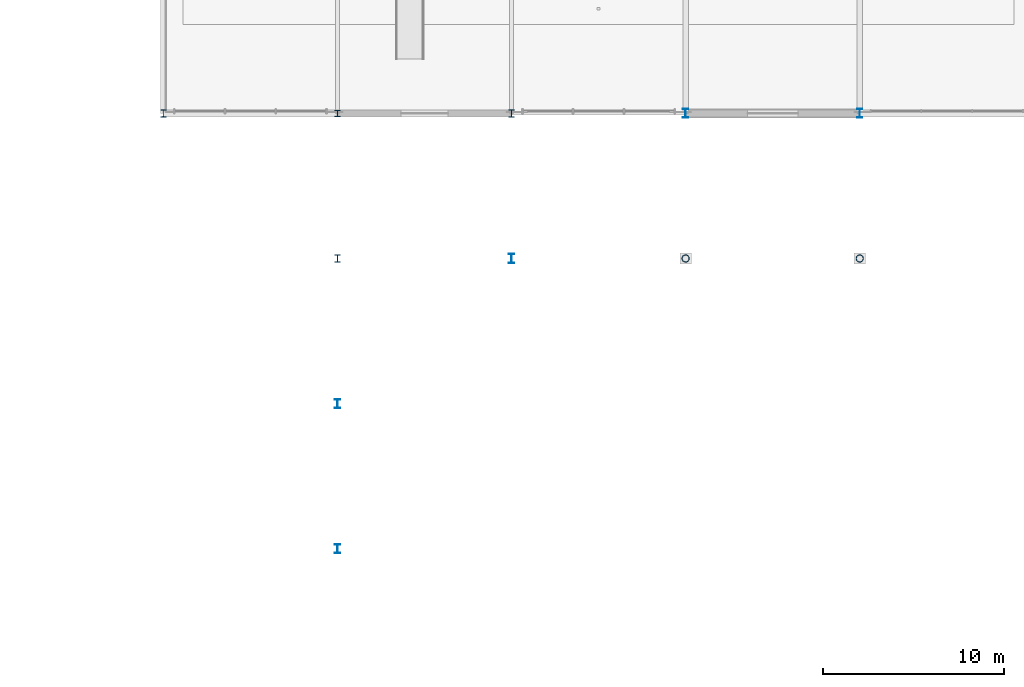
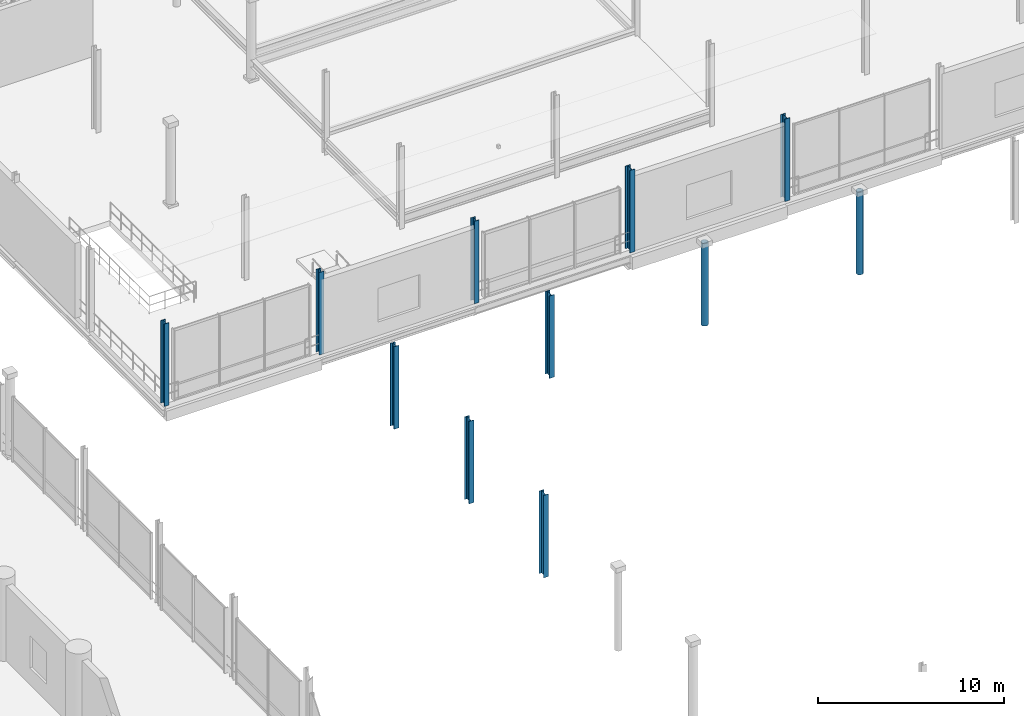
# One storey, part 17 of 129: 11 columns.
"""IFC4 building model written with IfcOpenShell, lengths in metres."""

import ifcopenshell
import ifcopenshell.guid

model = None  # the IFC model being written
_history = None  # IfcOwnerHistory: only IFC2X3 demands one
_inside = {}  # id of a spatial element -> (the spatial element, [elements in it])
_under = {}  # id of a project, library or spatial element -> (it, [spatial elements below it])
_declared = {}  # id of a project -> (the project, [libraries it declares])
_typed = {}  # id of a type object -> (the type object, [elements of that type])
_made_of = {}  # id of a material, layer set ... -> (it, [elements and type objects made of it])


def new_model(schema):
    """Start an empty IFC model of exactly this schema.

    Asked for "IFC4X3", IfcOpenShell would pick the latest addendum, in which some entities
    have other attributes; the version numbers below select the first issue.
    IFC2X3 requires an IfcOwnerHistory on every rooted entity: one is made here for all.
    """
    global model, _history
    if schema == "IFC4X3":
        model = ifcopenshell.file(schema_version=(4, 3, 0, 0))
    else:
        model = ifcopenshell.file(schema=schema)
    _inside.clear()
    _under.clear()
    _declared.clear()
    _typed.clear()
    _made_of.clear()
    _history = None
    if model.schema == "IFC2X3":
        org = make("IfcOrganization", Name="unknown")
        user = make(
            "IfcPersonAndOrganization",
            ThePerson=make("IfcPerson", FamilyName="unknown"),
            TheOrganization=org,
        )
        app = make(
            "IfcApplication",
            ApplicationDeveloper=org,
            Version="unknown",
            ApplicationFullName="unknown",
            ApplicationIdentifier="unknown",
        )
        _history = make(
            "IfcOwnerHistory",
            OwningUser=user,
            OwningApplication=app,
            ChangeAction="ADDED",
            CreationDate=0,
        )
    return model


def make(cls, **values):
    """One entity of the class cls with the attributes given. An attribute that is None is left unset."""
    return model.create_entity(
        cls, **{name: value for name, value in values.items() if value is not None}
    )


def rooted(cls, **values):
    """An entity with a GlobalId (a new one), such as an element, a storey or a relation."""
    return make(cls, GlobalId=ifcopenshell.guid.new(), OwnerHistory=_history, **values)


def si_unit(unit_type, name, prefix=None):
    """IfcSIUnit, for example si_unit("LENGTHUNIT", "METRE", prefix="MILLI")."""
    return make("IfcSIUnit", UnitType=unit_type, Prefix=prefix, Name=name)


def assignment(units):
    """IfcUnitAssignment: the units of a project."""
    return None if units is None else make("IfcUnitAssignment", Units=units)


def point(xyz):
    """IfcCartesianPoint."""
    return None if xyz is None else make("IfcCartesianPoint", Coordinates=xyz)


def direction(xyz):
    """IfcDirection."""
    return None if xyz is None else make("IfcDirection", DirectionRatios=xyz)


def frame(location, z_axis=None, x_axis=None):
    """IfcAxis2Placement3D, a coordinate frame: its origin and axes. An axis left out is left unset."""
    return make(
        "IfcAxis2Placement3D",
        Location=point(location),
        Axis=direction(z_axis),
        RefDirection=direction(x_axis),
    )


def frame_2d(location, x_axis=None):
    """IfcAxis2Placement2D, a coordinate frame in the plane: its origin and x axis."""
    return make(
        "IfcAxis2Placement2D", Location=point(location), RefDirection=direction(x_axis)
    )


def origin():
    """The frame at (0, 0, 0) with its axes left unset."""
    return frame((0.0, 0.0, 0.0))


def origin_2d():
    """The frame at (0, 0) in the plane with its x axis left unset."""
    return frame_2d((0.0, 0.0))


def place(relative_to, where):
    """IfcLocalPlacement: puts the frame where relative to a parent placement (None: the world)."""
    return make(
        "IfcLocalPlacement", PlacementRelTo=relative_to, RelativePlacement=where
    )


def context(
    kind, dimensions, precision=None, world=None, true_north=None, identifier=None
):
    """IfcGeometricRepresentationContext, for example the 3D "Model" context."""
    return make(
        "IfcGeometricRepresentationContext",
        ContextIdentifier=identifier,
        ContextType=kind,
        CoordinateSpaceDimension=dimensions,
        Precision=precision,
        WorldCoordinateSystem=world,
        TrueNorth=true_north,
    )


def subcontext(parent, identifier, kind, view, scale=None):
    """IfcGeometricRepresentationSubContext, for example "Body" below "Model"."""
    return make(
        "IfcGeometricRepresentationSubContext",
        ContextIdentifier=identifier,
        ContextType=kind,
        ParentContext=parent,
        TargetScale=scale,
        TargetView=view,
    )


def project(units=None, contexts=None):
    """IfcProject with its units and contexts."""
    return rooted(
        "IfcProject",
        Name="project",
        RepresentationContexts=contexts,
        UnitsInContext=assignment(units),
    )


def spatial(cls, under=None, at=None, **own):
    """A site, building, storey or space (cls), placed at a placement, below another one or the project."""
    s = rooted(cls, ObjectPlacement=at, **own)
    if under is not None:
        _under.setdefault(under.id(), (under, []))[1].append(s)
    return s


def profile(cls, at=None, kind="AREA", **sizes):
    """A parametric profile (cls). Its sizes go by their IFC names, for example OverallWidth=200.0."""
    return make(cls, ProfileType=kind, Position=at, **sizes)


def hollow_circle(**sizes):
    """IfcCircleHollowProfileDef."""
    return profile("IfcCircleHollowProfileDef", **sizes)


def i_section(**sizes):
    """IfcIShapeProfileDef."""
    return profile("IfcIShapeProfileDef", **sizes)


def extrude(swept, where, along, depth):
    """IfcExtrudedAreaSolid: the profile swept, set in the frame where, extruded along a direction by depth."""
    return make(
        "IfcExtrudedAreaSolid",
        SweptArea=swept,
        Position=where,
        ExtrudedDirection=direction(along),
        Depth=depth,
    )


def shape(context_of_items, identifier, shape_type, items):
    """IfcShapeRepresentation: the items that make up one representation, for example the "Body"."""
    return make(
        "IfcShapeRepresentation",
        ContextOfItems=context_of_items,
        RepresentationIdentifier=identifier,
        RepresentationType=shape_type,
        Items=items,
    )


def material(Name=None, Category=None):
    """IfcMaterial."""
    return make("IfcMaterial", Name=Name, Category=Category)


def material_profile(
    of_material, cross_section, Name=None, Category=None, Priority=None
):
    """IfcMaterialProfile: a cross section and its material."""
    return make(
        "IfcMaterialProfile",
        Name=Name,
        Material=of_material,
        Profile=cross_section,
        Priority=Priority,
        Category=Category,
    )


def profile_set(profiles, Name=None, composite=None):
    """IfcMaterialProfileSet."""
    return make(
        "IfcMaterialProfileSet",
        Name=Name,
        MaterialProfiles=profiles,
        CompositeProfile=composite,
    )


def made_of(thing, what):
    """Note that an element or type object is made of a material, layer set ...; save() writes the relation."""
    if what is not None:
        _made_of.setdefault(what.id(), (what, []))[1].append(thing)
    return thing


def type_object(cls, material=None, **own):
    """A type object (cls), such as IfcWallType, which elements share."""
    return made_of(rooted(cls, **own), material)


def element(
    cls,
    number,
    at=None,
    inside=None,
    cuts=None,
    type_object=None,
    material=None,
    context=None,
    identifier="Body",
    shape_type=None,
    held_by="IfcProductDefinitionShape",
    body=None,
    shapes=None,
    **own,
):
    """One element of the class cls, such as IfcWall. Its Tag is "e" and its number.

    at: its placement. inside: the storey or other place that contains it. cuts: it is an
    opening in that element (IfcRelVoidsElement). A single representation is given by context,
    identifier, shape_type and body (its items); several are given by shapes. held_by: the class
    of the entity that holds the representations. save() writes the other relations.
    """
    e = rooted(cls, Tag="e%d" % number, ObjectPlacement=at, **own)
    if body is not None:
        shapes = [shape(context, identifier, shape_type, body)]
    if shapes is not None:
        e.Representation = make(held_by, Representations=shapes)
    if inside is not None:
        _inside.setdefault(inside.id(), (inside, []))[1].append(e)
    if cuts is not None:
        rooted(
            "IfcRelVoidsElement", RelatingBuildingElement=cuts, RelatedOpeningElement=e
        )
    if type_object is not None:
        _typed.setdefault(type_object.id(), (type_object, []))[1].append(e)
    return made_of(e, material)


def aggregate(whole, parts):
    """IfcRelAggregates: a whole, such as a stair, and the parts it consists of."""
    return rooted("IfcRelAggregates", RelatingObject=whole, RelatedObjects=parts)


def save(model, path):
    """Write the relations noted so far, then the file.

    IfcRelAggregates (storeys below a building ...), IfcRelContainedInSpatialStructure (elements
    in a storey), IfcRelDefinesByType, IfcRelAssociatesMaterial and IfcRelDeclares: one each for
    every whole, place, type object, material and project.
    """
    for whole, parts in _under.values():
        aggregate(whole, parts)
    for where, things in _inside.values():
        rooted(
            "IfcRelContainedInSpatialStructure",
            RelatedElements=things,
            RelatingStructure=where,
        )
    for kind, things in _typed.values():
        rooted("IfcRelDefinesByType", RelatedObjects=things, RelatingType=kind)
    for what, things in _made_of.values():
        rooted("IfcRelAssociatesMaterial", RelatedObjects=things, RelatingMaterial=what)
    for by, libraries in _declared.values():
        rooted("IfcRelDeclares", RelatingContext=by, RelatedDefinitions=libraries)
    model.write(path)


model = new_model("IFC4")

# Units and contexts
model_context = context("Model", 3, precision=1e-05, world=origin(), true_north=direction((0.0, 1.0)))
body_context = subcontext(model_context, "Body", "Model", "MODEL_VIEW")
ifc_project = project(units=[si_unit("LENGTHUNIT", "METRE"), si_unit("AREAUNIT", "SQUARE_METRE"), si_unit("VOLUMEUNIT", "CUBIC_METRE"), si_unit("PLANEANGLEUNIT", "RADIAN"), si_unit("MASSUNIT", "GRAM", prefix="KILO")], contexts=[model_context])

# Site, building, storey
site_placement = place(None, origin())
site = spatial("IfcSite", under=ifc_project, at=site_placement, CompositionType="ELEMENT")
building_placement = place(site_placement, origin())
building = spatial("IfcBuilding", under=site, at=building_placement, Name="Danafjord Basin Convention Centre", CompositionType="ELEMENT")
storey_placement = place(building_placement, frame((0.0, 0.0, 6.0)))
storey = spatial("IfcBuildingStorey", under=building, at=storey_placement, Name="L01", CompositionType="ELEMENT", Elevation=6.0)

# Columns
ifc_material = material(Name="Steel S355", Category="steel")
ifc_material_profile_1 = material_profile(ifc_material, hollow_circle(Radius=0.203125, WallThickness=0.02001953125, at=origin_2d()), Name="CHS 406.4x20.0")
ifc_profile_set_1 = profile_set([ifc_material_profile_1], Name="Steel S355")
column_type_1 = type_object("IfcColumnType", Name="COL-C-CHS406", PredefinedType="COLUMN", material=ifc_profile_set_1)
for number, where, z_axis, x_axis, name in (
    (1, (163.199951171875, 80.0, 0.0), (0.0, 0.0, 1.0), (1.0, 0.0, 0.0), "L01 column C-CHS406 at (163.2, 80.0)"),
    (2, (172.800048828125, 80.0, 0.0), (0.0, 0.0, 1.0), (1.0, 0.0, 0.0), "L01 column C-CHS406 at (172.8, 80.0)"),
):
    element("IfcColumn", number, at=place(storey_placement, frame(where, z_axis=z_axis, x_axis=x_axis)), inside=storey, type_object=column_type_1, Name=name, PredefinedType="COLUMN", context=body_context, shape_type="SweptSolid", body=[
        extrude(hollow_circle(Radius=0.203125, WallThickness=0.02001953125, at=origin_2d()), origin(), (0.0, 0.0, 1.0), 5.39990234375),
    ])
ifc_material_profile_2 = material_profile(ifc_material, i_section(OverallWidth=0.300048828125, OverallDepth=0.360107421875, WebThickness=0.012451171875, FlangeThickness=0.0224609375, FilletRadius=0.027099609375, at=origin_2d()), Name="HEB 360")
ifc_profile_set_2 = profile_set([ifc_material_profile_2], Name="Steel S355")
column_type_2 = type_object("IfcColumnType", Name="COL-C-HEB360", PredefinedType="COLUMN", material=ifc_profile_set_2)
column_placement = place(storey_placement, frame((144.0, 88.0, 0.0), z_axis=(0.0, 0.0, 1.0), x_axis=(1.0, 0.0, 0.0)))
element("IfcColumn", 3, at=column_placement, inside=storey, type_object=column_type_2, Name="L01 column C-HEB360 at (144.0, 88.0)", PredefinedType="COLUMN", context=body_context, shape_type="SweptSolid", body=[
    extrude(i_section(OverallWidth=0.300048828125, OverallDepth=0.360107421875, WebThickness=0.012451171875, FlangeThickness=0.0224609375, FilletRadius=0.027099609375, at=origin_2d()), origin(), (0.0, 0.0, 1.0), 5.39990234375),
])
ifc_material_profile_3 = material_profile(ifc_material, i_section(OverallWidth=0.300048828125, OverallDepth=0.39990234375, WebThickness=0.013427734375, FlangeThickness=0.02392578125, FilletRadius=0.027099609375, at=origin_2d()), Name="HEB 400")
ifc_profile_set_3 = profile_set([ifc_material_profile_3], Name="Steel S355")
column_type_3 = type_object("IfcColumnType", Name="COL-C-HEB400", PredefinedType="COLUMN", material=ifc_profile_set_3)
for number, where, z_axis, x_axis, name in (
    (4, (134.39990234375, 88.0, 0.0), (0.0, 0.0, 1.0), (1.0, 0.0, 0.0), "L01 column C-HEB400 at (134.4, 88.0)"),
    (5, (144.0, 80.0, 0.0), (0.0, 0.0, 1.0), (1.0, 0.0, 0.0), "L01 column C-HEB400 at (144.0, 80.0)"),
    (6, (153.60009765625, 88.0, 0.0), (0.0, 0.0, 1.0), (1.0, 0.0, 0.0), "L01 column C-HEB400 at (153.6, 88.0)"),
):
    element("IfcColumn", number, at=place(storey_placement, frame(where, z_axis=z_axis, x_axis=x_axis)), inside=storey, type_object=column_type_3, Name=name, PredefinedType="COLUMN", context=body_context, shape_type="SweptSolid", body=[
        extrude(i_section(OverallWidth=0.300048828125, OverallDepth=0.39990234375, WebThickness=0.013427734375, FlangeThickness=0.02392578125, FilletRadius=0.027099609375, at=origin_2d()), origin(), (0.0, 0.0, 1.0), 5.39990234375),
    ])
ifc_material_profile_4 = material_profile(ifc_material, i_section(OverallWidth=0.300048828125, OverallDepth=0.5, WebThickness=0.014404296875, FlangeThickness=0.028076171875, FilletRadius=0.027099609375, at=origin_2d()), Name="HEB 500")
ifc_profile_set_4 = profile_set([ifc_material_profile_4], Name="Steel S355")
column_type_4 = type_object("IfcColumnType", Name="COL-C-HEB500", PredefinedType="COLUMN", material=ifc_profile_set_4)
for number, where, z_axis, x_axis, name in (
    (7, (144.0, 64.0, 0.0), (0.0, 0.0, 1.0), (1.0, 0.0, 0.0), "L01 column C-HEB500 at (144.0, 64.0)"),
    (8, (144.0, 72.0, 0.0), (0.0, 0.0, 1.0), (1.0, 0.0, 0.0), "L01 column C-HEB500 at (144.0, 72.0)"),
    (9, (153.60009765625, 80.0, 0.0), (0.0, 0.0, 1.0), (1.0, 0.0, 0.0), "L01 column C-HEB500 at (153.6, 80.0)"),
    (10, (163.199951171875, 88.0, 0.0), (0.0, 0.0, 1.0), (1.0, 0.0, 0.0), "L01 column C-HEB500 at (163.2, 88.0)"),
    (11, (172.800048828125, 88.0, 0.0), (0.0, 0.0, 1.0), (1.0, 0.0, 0.0), "L01 column C-HEB500 at (172.8, 88.0)"),
):
    element("IfcColumn", number, at=place(storey_placement, frame(where, z_axis=z_axis, x_axis=x_axis)), inside=storey, type_object=column_type_4, Name=name, PredefinedType="COLUMN", context=body_context, shape_type="SweptSolid", body=[
        extrude(i_section(OverallWidth=0.300048828125, OverallDepth=0.5, WebThickness=0.014404296875, FlangeThickness=0.028076171875, FilletRadius=0.027099609375, at=origin_2d()), origin(), (0.0, 0.0, 1.0), 5.39990234375),
    ])

save(model, "model.ifc")
